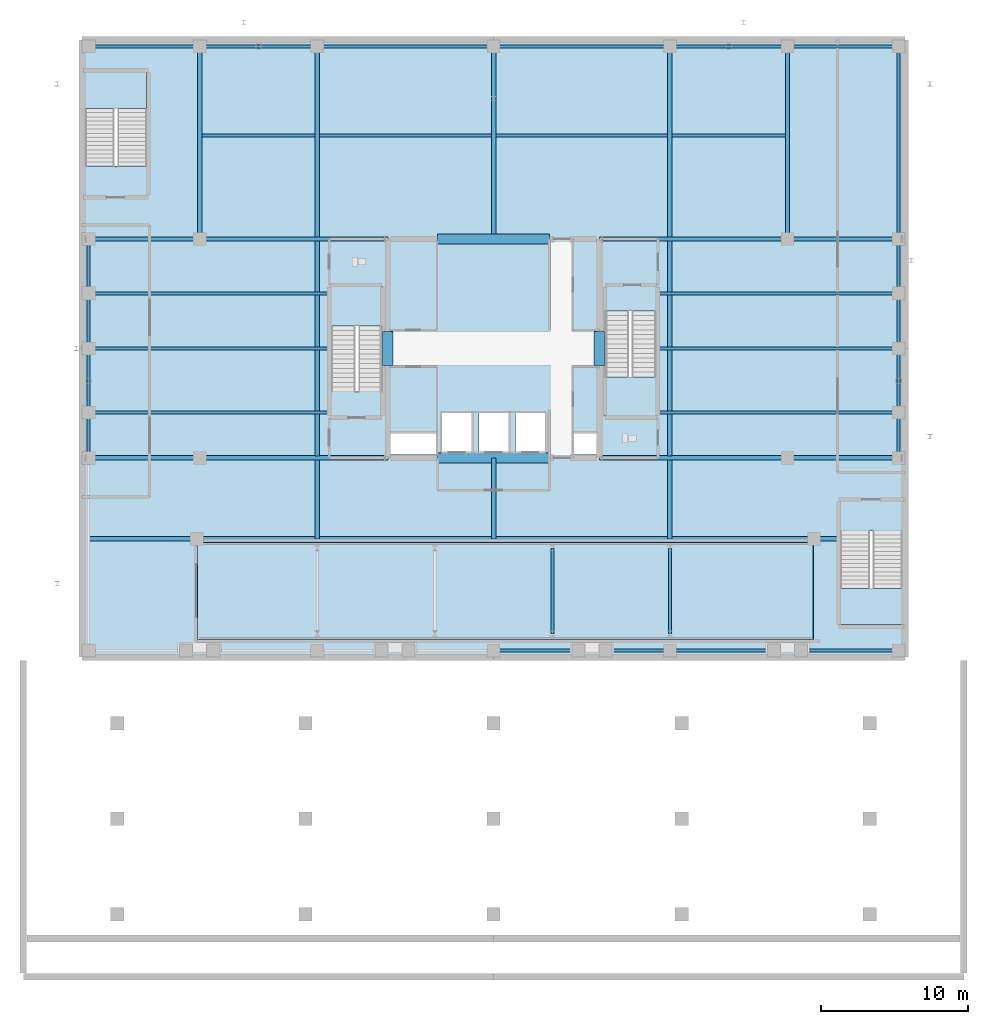
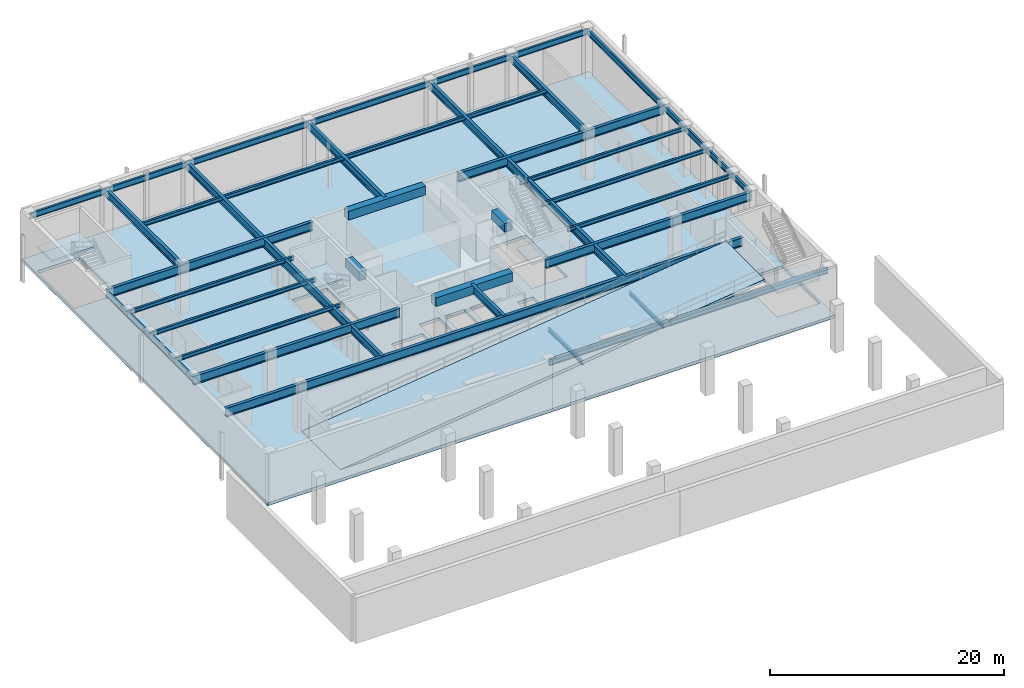
# One storey, part 8 of 16: 45 beams, 6 slabs, 4 elements without a shape of their own.
"""IFC4 building model written with IfcOpenShell, lengths in metres."""

from ifc_helpers import new_model, si_unit, direction, frame, origin, origin_2d, place, context, subcontext, project, spatial, polyline, rectangle, i_section, outline, extrude, material, layer, layer_set, material_profile, profile_set, type_object, element, aggregate, save


model = new_model("IFC4")

# Units and contexts
model_context = context("Model", 3, precision=1e-05, world=origin(), true_north=direction((0.0, 1.0)))
body_context = subcontext(model_context, "Body", "Model", "MODEL_VIEW")
ifc_project = project(units=[si_unit("LENGTHUNIT", "METRE"), si_unit("AREAUNIT", "SQUARE_METRE"), si_unit("VOLUMEUNIT", "CUBIC_METRE"), si_unit("PLANEANGLEUNIT", "RADIAN"), si_unit("MASSUNIT", "GRAM", prefix="KILO")], contexts=[model_context])

# Site, building, storey
site_placement = place(None, origin())
site = spatial("IfcSite", under=ifc_project, at=site_placement, CompositionType="ELEMENT")
building_placement = place(site_placement, origin())
building = spatial("IfcBuilding", under=site, at=building_placement, Name="Veldorina Hangang Commons", CompositionType="ELEMENT")
storey_placement = place(building_placement, frame((0.0, 0.0, -5.199951171875)))
storey = spatial("IfcBuildingStorey", under=building, at=storey_placement, Name="B01", CompositionType="ELEMENT", Elevation=-5.199951171875)

# Beams
ifc_material_1 = material(Name="Concrete C70/85", Category="concrete")
ifc_material_profile_1 = material_profile(ifc_material_1, rectangle(XDim=0.699951171875, YDim=0.89990234375, at=origin_2d()), Name="RC-CB-700x900")
ifc_profile_set_1 = profile_set([ifc_material_profile_1], Name="Concrete C70/85")
beam_type_1 = type_object("IfcBeamType", Name="BM-CB900", PredefinedType="LINTEL", material=ifc_profile_set_1)
for number, where, z_axis, x_axis, name in (
    (1, (24.800048828125, 22.85009765625, 4.449951171875), (0.0, 1.0, 0.0), (-1.0, 0.0, 0.0), "B01 W core coupling lintel beam"),
    (2, (39.199951171875, 22.85009765625, 4.449951171875), (0.0, 1.0, 0.0), (-1.0, 0.0, 0.0), "B01 E core coupling lintel beam"),
):
    element("IfcBeam", number, at=place(storey_placement, frame(where, z_axis=z_axis, x_axis=x_axis)), inside=storey, type_object=beam_type_1, Name=name, PredefinedType="LINTEL", context=body_context, shape_type="SweptSolid", body=[
        extrude(rectangle(XDim=0.699951171875, YDim=0.89990234375, at=origin_2d()), origin(), (0.0, 0.0, 1.0), 2.2998046875),
    ])
for number, where, z_axis, x_axis, name in (
    (3, (28.199951171875, 16.550048828125, 4.449951171875), (1.0, 0.0, 0.0), (0.0, 1.0, 0.0), "B01 south core coupling beam"),
    (4, (28.199951171875, 31.449951171875, 4.449951171875), (1.0, 0.0, 0.0), (0.0, 1.0, 0.0), "B01 north core coupling beam"),
):
    element("IfcBeam", number, at=place(storey_placement, frame(where, z_axis=z_axis, x_axis=x_axis)), inside=storey, type_object=beam_type_1, Name=name, PredefinedType="LINTEL", context=body_context, shape_type="SweptSolid", body=[
        extrude(rectangle(XDim=0.699951171875, YDim=0.89990234375, at=origin_2d()), origin(), (0.0, 0.0, 1.0), 7.60009765625),
    ])
ifc_material_2 = material(Name="Steel SM355-TMC", Category="steel")
ifc_material_profile_2 = material_profile(ifc_material_2, i_section(OverallWidth=0.199951171875, OverallDepth=0.39990234375, WebThickness=0.008056640625, FlangeThickness=0.012939453125, FilletRadius=0.012939453125, at=origin_2d()), Name="H-400x200x8x13")
ifc_profile_set_2 = profile_set([ifc_material_profile_2], Name="Steel SM355-TMC")
beam_type_2 = type_object("IfcBeamType", Name="BM-FG400", PredefinedType="BEAM", material=ifc_profile_set_2)
for number, where, z_axis, x_axis, name in (
    (5, (36.0, 4.60009765625, 2.467041015625), (0.0, 1.0, 0.0), (-1.0, 0.0, 0.0), "B01 vehicle ramp cross beam 3"),
    (6, (44.0, 4.60009765625, 3.4599609375), (0.0, 1.0, 0.0), (-1.0, 0.0, 0.0), "B01 vehicle ramp cross beam 4"),
):
    element("IfcBeam", number, at=place(storey_placement, frame(where, z_axis=z_axis, x_axis=x_axis)), inside=storey, type_object=beam_type_2, Name=name, PredefinedType="BEAM", context=body_context, shape_type="SweptSolid", body=[
        extrude(i_section(OverallWidth=0.199951171875, OverallDepth=0.39990234375, WebThickness=0.008056640625, FlangeThickness=0.012939453125, FilletRadius=0.012939453125, at=origin_2d()), origin(), (0.0, 0.0, 1.0), 5.7998046875),
    ])
ifc_material_profile_3 = material_profile(ifc_material_2, i_section(OverallWidth=0.199951171875, OverallDepth=0.39990234375, WebThickness=0.008056640625, FlangeThickness=0.012939453125, FilletRadius=0.012939453125, at=origin_2d()), Name="H-400x200x8x13")
ifc_profile_set_3 = profile_set([ifc_material_profile_3], Name="Steel SM355-TMC")
beam_type_3 = type_object("IfcBeamType", Name="BM-JST400", PredefinedType="JOIST", material=ifc_profile_set_3)
for number, where, z_axis, x_axis, name in (
    (7, (4.449951171875, 19.64990234375, 4.699951171875), (1.0, 0.0, 0.0), (0.0, 1.0, 0.0), "B01 west floor joist 1"),
    (8, (43.179931640625, 19.64990234375, 4.699951171875), (1.0, 0.0, 0.0), (0.0, 1.0, 0.0), "B01 east floor joist 1"),
    (9, (4.449951171875, 24.0, 4.699951171875), (1.0, 0.0, 0.0), (0.0, 1.0, 0.0), "B01 west floor joist 2"),
    (10, (43.179931640625, 24.0, 4.699951171875), (1.0, 0.0, 0.0), (0.0, 1.0, 0.0), "B01 east floor joist 2"),
    (11, (4.449951171875, 27.75, 4.699951171875), (1.0, 0.0, 0.0), (0.0, 1.0, 0.0), "B01 west floor joist 3"),
    (12, (43.179931640625, 27.75, 4.699951171875), (1.0, 0.0, 0.0), (0.0, 1.0, 0.0), "B01 east floor joist 3"),
):
    element("IfcBeam", number, at=place(storey_placement, frame(where, z_axis=z_axis, x_axis=x_axis)), inside=storey, type_object=beam_type_3, Name=name, PredefinedType="JOIST", context=body_context, shape_type="SweptSolid", body=[
        extrude(i_section(OverallWidth=0.199951171875, OverallDepth=0.39990234375, WebThickness=0.008056640625, FlangeThickness=0.012939453125, FilletRadius=0.012939453125, at=origin_2d()), origin(), (0.0, 0.0, 1.0), 16.3701171875),
    ])
beam_1_placement = place(storey_placement, frame((12.0, 38.5, 4.699951171875), z_axis=(1.0, 0.0, 0.0), x_axis=(0.0, 1.0, 0.0)))
element("IfcBeam", 13, at=beam_1_placement, inside=storey, type_object=beam_type_3, Name="B01 north floor joist 4", PredefinedType="JOIST", context=body_context, shape_type="SweptSolid", body=[
    extrude(i_section(OverallWidth=0.199951171875, OverallDepth=0.39990234375, WebThickness=0.008056640625, FlangeThickness=0.012939453125, FilletRadius=0.012939453125, at=origin_2d()), origin(), (0.0, 0.0, 1.0), 40.0),
])
ifc_material_3 = material(Name="Steel SM460-TMC", Category="steel")
ifc_material_profile_4 = material_profile(ifc_material_3, i_section(OverallWidth=0.300048828125, OverallDepth=0.800048828125, WebThickness=0.013916015625, FlangeThickness=0.02587890625, FilletRadius=0.02197265625, at=origin_2d()), Name="H-800x300x14x26")
ifc_profile_set_4 = profile_set([ifc_material_profile_4], Name="Steel SM460-TMC")
beam_type_4 = type_object("IfcBeamType", Name="BM-PG800", PredefinedType="BEAM", material=ifc_profile_set_4)
for number, where, z_axis, x_axis, name in (
    (14, (12.0, 31.590087890625, 4.5), (0.0, 1.0, 0.0), (-1.0, 0.0, 0.0), "B01 north primary girder G2"),
    (15, (20.0, 31.590087890625, 4.5), (0.0, 1.0, 0.0), (-1.0, 0.0, 0.0), "B01 north primary girder G3"),
):
    element("IfcBeam", number, at=place(storey_placement, frame(where, z_axis=z_axis, x_axis=x_axis)), inside=storey, type_object=beam_type_4, Name=name, PredefinedType="BEAM", context=body_context, shape_type="SweptSolid", body=[
        extrude(i_section(OverallWidth=0.300048828125, OverallDepth=0.800048828125, WebThickness=0.013916015625, FlangeThickness=0.02587890625, FilletRadius=0.02197265625, at=origin_2d()), origin(), (0.0, 0.0, 1.0), 12.9599609375),
    ])
beam_2_placement = place(storey_placement, frame((20.0, 11.050048828125, 4.5), z_axis=(0.0, 1.0, 0.0), x_axis=(-1.0, 0.0, 0.0)))
element("IfcBeam", 16, at=beam_2_placement, inside=storey, type_object=beam_type_4, Name="B01 south ramp-to-core girder G3", PredefinedType="BEAM", context=body_context, shape_type="SweptSolid", body=[
    extrude(i_section(OverallWidth=0.300048828125, OverallDepth=0.800048828125, WebThickness=0.013916015625, FlangeThickness=0.02587890625, FilletRadius=0.02197265625, at=origin_2d()), origin(), (0.0, 0.0, 1.0), 5.35986328125),
])
beam_3_placement = place(storey_placement, frame((32.0, 31.449951171875, 4.5), z_axis=(0.0, 1.0, 0.0), x_axis=(-1.0, 0.0, 0.0)))
element("IfcBeam", 17, at=beam_3_placement, inside=storey, type_object=beam_type_4, Name="B01 north primary girder G5", PredefinedType="BEAM", context=body_context, shape_type="SweptSolid", body=[
    extrude(i_section(OverallWidth=0.300048828125, OverallDepth=0.800048828125, WebThickness=0.013916015625, FlangeThickness=0.02587890625, FilletRadius=0.02197265625, at=origin_2d()), origin(), (0.0, 0.0, 1.0), 13.10009765625),
])
beam_4_placement = place(storey_placement, frame((32.0, 11.050048828125, 4.5), z_axis=(0.0, 1.0, 0.0), x_axis=(-1.0, 0.0, 0.0)))
element("IfcBeam", 18, at=beam_4_placement, inside=storey, type_object=beam_type_4, Name="B01 south ramp-to-core girder G5", PredefinedType="BEAM", context=body_context, shape_type="SweptSolid", body=[
    extrude(i_section(OverallWidth=0.300048828125, OverallDepth=0.800048828125, WebThickness=0.013916015625, FlangeThickness=0.02587890625, FilletRadius=0.02197265625, at=origin_2d()), origin(), (0.0, 0.0, 1.0), 5.5),
])
beam_5_placement = place(storey_placement, frame((44.0, 31.590087890625, 4.5), z_axis=(0.0, 1.0, 0.0), x_axis=(-1.0, 0.0, 0.0)))
element("IfcBeam", 19, at=beam_5_placement, inside=storey, type_object=beam_type_4, Name="B01 north primary girder G7", PredefinedType="BEAM", context=body_context, shape_type="SweptSolid", body=[
    extrude(i_section(OverallWidth=0.300048828125, OverallDepth=0.800048828125, WebThickness=0.013916015625, FlangeThickness=0.02587890625, FilletRadius=0.02197265625, at=origin_2d()), origin(), (0.0, 0.0, 1.0), 12.9599609375),
])
beam_6_placement = place(storey_placement, frame((44.0, 11.050048828125, 4.5), z_axis=(0.0, 1.0, 0.0), x_axis=(-1.0, 0.0, 0.0)))
element("IfcBeam", 20, at=beam_6_placement, inside=storey, type_object=beam_type_4, Name="B01 south ramp-to-core girder G7", PredefinedType="BEAM", context=body_context, shape_type="SweptSolid", body=[
    extrude(i_section(OverallWidth=0.300048828125, OverallDepth=0.800048828125, WebThickness=0.013916015625, FlangeThickness=0.02587890625, FilletRadius=0.02197265625, at=origin_2d()), origin(), (0.0, 0.0, 1.0), 5.35986328125),
])
beam_7_placement = place(storey_placement, frame((52.0, 31.590087890625, 4.5), z_axis=(0.0, 1.0, 0.0), x_axis=(-1.0, 0.0, 0.0)))
element("IfcBeam", 21, at=beam_7_placement, inside=storey, type_object=beam_type_4, Name="B01 north primary girder G8", PredefinedType="BEAM", context=body_context, shape_type="SweptSolid", body=[
    extrude(i_section(OverallWidth=0.300048828125, OverallDepth=0.800048828125, WebThickness=0.013916015625, FlangeThickness=0.02587890625, FilletRadius=0.02197265625, at=origin_2d()), origin(), (0.0, 0.0, 1.0), 12.9599609375),
])
ifc_material_profile_5 = material_profile(ifc_material_3, i_section(OverallWidth=0.300048828125, OverallDepth=0.89990234375, WebThickness=0.01611328125, FlangeThickness=0.028076171875, FilletRadius=0.02197265625, at=origin_2d()), Name="H-900x300x16x28")
ifc_profile_set_5 = profile_set([ifc_material_profile_5], Name="Steel SM460-TMC")
beam_type_5 = type_object("IfcBeamType", Name="BM-PG900", PredefinedType="BEAM", material=ifc_profile_set_5)
for number, where, z_axis, x_axis, name in (
    (22, (4.449951171875, 16.550048828125, 4.449951171875), (1.0, 0.0, 0.0), (0.0, 1.0, 0.0), "B01 west collector girder GD"),
    (23, (39.199951171875, 16.550048828125, 4.449951171875), (1.0, 0.0, 0.0), (0.0, 1.0, 0.0), "B01 east collector girder GD"),
    (24, (4.449951171875, 31.449951171875, 4.449951171875), (1.0, 0.0, 0.0), (0.0, 1.0, 0.0), "B01 west collector girder GF"),
    (25, (39.199951171875, 31.449951171875, 4.449951171875), (1.0, 0.0, 0.0), (0.0, 1.0, 0.0), "B01 east collector girder GF"),
):
    element("IfcBeam", number, at=place(storey_placement, frame(where, z_axis=z_axis, x_axis=x_axis)), inside=storey, type_object=beam_type_5, Name=name, PredefinedType="BEAM", context=body_context, shape_type="SweptSolid", body=[
        extrude(i_section(OverallWidth=0.300048828125, OverallDepth=0.89990234375, WebThickness=0.01611328125, FlangeThickness=0.028076171875, FilletRadius=0.02197265625, at=origin_2d()), origin(), (0.0, 0.0, 1.0), 20.35009765625),
    ])
beam_8_placement = place(storey_placement, frame((4.449951171875, 11.050048828125, 4.449951171875), z_axis=(1.0, 0.0, 0.0), x_axis=(0.0, 1.0, 0.0)))
element("IfcBeam", 26, at=beam_8_placement, inside=storey, type_object=beam_type_5, Name="B01 ramp opening header girder", PredefinedType="BEAM", context=body_context, shape_type="SweptSolid", body=[
    extrude(i_section(OverallWidth=0.300048828125, OverallDepth=0.89990234375, WebThickness=0.01611328125, FlangeThickness=0.028076171875, FilletRadius=0.02197265625, at=origin_2d()), origin(), (0.0, 0.0, 1.0), 51.030029296875),
])
for number, where, z_axis, x_axis, name in (
    (27, (20.0, 16.68994140625, 4.449951171875), (0.0, 1.0, 0.0), (-1.0, 0.0, 0.0), "B01 mid primary girder G3"),
    (28, (44.0, 16.68994140625, 4.449951171875), (0.0, 1.0, 0.0), (-1.0, 0.0, 0.0), "B01 mid primary girder G7"),
):
    element("IfcBeam", number, at=place(storey_placement, frame(where, z_axis=z_axis, x_axis=x_axis)), inside=storey, type_object=beam_type_5, Name=name, PredefinedType="BEAM", context=body_context, shape_type="SweptSolid", body=[
        extrude(i_section(OverallWidth=0.300048828125, OverallDepth=0.89990234375, WebThickness=0.01611328125, FlangeThickness=0.028076171875, FilletRadius=0.02197265625, at=origin_2d()), origin(), (0.0, 0.0, 1.0), 14.6201171875),
    ])
ifc_material_4 = material(Name="Steel SM420-TMC", Category="steel")
ifc_material_profile_6 = material_profile(ifc_material_4, i_section(OverallWidth=0.199951171875, OverallDepth=0.60009765625, WebThickness=0.010986328125, FlangeThickness=0.01708984375, FilletRadius=0.01806640625, at=origin_2d()), Name="H-600x200x11x17")
ifc_profile_set_6 = profile_set([ifc_material_profile_6], Name="Steel SM420-TMC")
beam_type_6 = type_object("IfcBeamType", Name="BM-SPN600", PredefinedType="SPANDREL", material=ifc_profile_set_6)
beam_9_placement = place(storey_placement, frame((4.449951171875, 44.550048828125, 4.599853515625), z_axis=(1.0, 0.0, 0.0), x_axis=(0.0, 1.0, 0.0)))
element("IfcBeam", 29, at=beam_9_placement, inside=storey, type_object=beam_type_6, Name="B01 north spandrel beam 1", PredefinedType="SPANDREL", context=body_context, shape_type="SweptSolid", body=[
    extrude(i_section(OverallWidth=0.199951171875, OverallDepth=0.60009765625, WebThickness=0.010986328125, FlangeThickness=0.01708984375, FilletRadius=0.01806640625, at=origin_2d()), origin(), (0.0, 0.0, 1.0), 7.550048828125),
])
beam_10_placement = place(storey_placement, frame((12.0, 44.550048828125, 4.599853515625), z_axis=(1.0, 0.0, 0.0), x_axis=(0.0, 1.0, 0.0)))
element("IfcBeam", 30, at=beam_10_placement, inside=storey, type_object=beam_type_6, Name="B01 north spandrel beam 2", PredefinedType="SPANDREL", context=body_context, shape_type="SweptSolid", body=[
    extrude(i_section(OverallWidth=0.199951171875, OverallDepth=0.60009765625, WebThickness=0.010986328125, FlangeThickness=0.01708984375, FilletRadius=0.01806640625, at=origin_2d()), origin(), (0.0, 0.0, 1.0), 8.0),
])
for number, where, z_axis, x_axis, name in (
    (31, (20.0, 44.550048828125, 4.599853515625), (1.0, 0.0, 0.0), (0.0, 1.0, 0.0), "B01 north spandrel beam 3"),
    (32, (32.0, 44.550048828125, 4.599853515625), (1.0, 0.0, 0.0), (0.0, 1.0, 0.0), "B01 north spandrel beam 4"),
):
    element("IfcBeam", number, at=place(storey_placement, frame(where, z_axis=z_axis, x_axis=x_axis)), inside=storey, type_object=beam_type_6, Name=name, PredefinedType="SPANDREL", context=body_context, shape_type="SweptSolid", body=[
        extrude(i_section(OverallWidth=0.199951171875, OverallDepth=0.60009765625, WebThickness=0.010986328125, FlangeThickness=0.01708984375, FilletRadius=0.01806640625, at=origin_2d()), origin(), (0.0, 0.0, 1.0), 12.0),
    ])
beam_11_placement = place(storey_placement, frame((44.0, 44.550048828125, 4.599853515625), z_axis=(1.0, 0.0, 0.0), x_axis=(0.0, 1.0, 0.0)))
element("IfcBeam", 33, at=beam_11_placement, inside=storey, type_object=beam_type_6, Name="B01 north spandrel beam 5", PredefinedType="SPANDREL", context=body_context, shape_type="SweptSolid", body=[
    extrude(i_section(OverallWidth=0.199951171875, OverallDepth=0.60009765625, WebThickness=0.010986328125, FlangeThickness=0.01708984375, FilletRadius=0.01806640625, at=origin_2d()), origin(), (0.0, 0.0, 1.0), 8.0),
])
beam_12_placement = place(storey_placement, frame((52.0, 44.550048828125, 4.599853515625), z_axis=(1.0, 0.0, 0.0), x_axis=(0.0, 1.0, 0.0)))
element("IfcBeam", 34, at=beam_12_placement, inside=storey, type_object=beam_type_6, Name="B01 north spandrel beam 6", PredefinedType="SPANDREL", context=body_context, shape_type="SweptSolid", body=[
    extrude(i_section(OverallWidth=0.199951171875, OverallDepth=0.60009765625, WebThickness=0.010986328125, FlangeThickness=0.01708984375, FilletRadius=0.01806640625, at=origin_2d()), origin(), (0.0, 0.0, 1.0), 7.550048828125),
])
beam_13_placement = place(storey_placement, frame((32.0, 3.449951171875, 4.599853515625), z_axis=(1.0, 0.0, 0.0), x_axis=(0.0, 1.0, 0.0)))
element("IfcBeam", 35, at=beam_13_placement, inside=storey, type_object=beam_type_6, Name="B01 south spandrel beam 3", PredefinedType="SPANDREL", context=body_context, shape_type="SweptSolid", body=[
    extrude(i_section(OverallWidth=0.199951171875, OverallDepth=0.60009765625, WebThickness=0.010986328125, FlangeThickness=0.01708984375, FilletRadius=0.01806640625, at=origin_2d()), origin(), (0.0, 0.0, 1.0), 12.0),
])
beam_14_placement = place(storey_placement, frame((44.0, 3.449951171875, 4.599853515625), z_axis=(1.0, 0.0, 0.0), x_axis=(0.0, 1.0, 0.0)))
element("IfcBeam", 36, at=beam_14_placement, inside=storey, type_object=beam_type_6, Name="B01 south spandrel beam 4", PredefinedType="SPANDREL", context=body_context, shape_type="SweptSolid", body=[
    extrude(i_section(OverallWidth=0.199951171875, OverallDepth=0.60009765625, WebThickness=0.010986328125, FlangeThickness=0.01708984375, FilletRadius=0.01806640625, at=origin_2d()), origin(), (0.0, 0.0, 1.0), 15.550048828125),
])
for number, where, z_axis, x_axis, name in (
    (37, (4.449951171875, 16.550048828125, 4.599853515625), (0.0, 1.0, 0.0), (-1.0, 0.0, 0.0), "B01 west spandrel beam 2"),
    (38, (59.550048828125, 16.550048828125, 4.599853515625), (0.0, 1.0, 0.0), (-1.0, 0.0, 0.0), "B01 east spandrel beam 2"),
):
    element("IfcBeam", number, at=place(storey_placement, frame(where, z_axis=z_axis, x_axis=x_axis)), inside=storey, type_object=beam_type_6, Name=name, PredefinedType="SPANDREL", context=body_context, shape_type="SweptSolid", body=[
        extrude(i_section(OverallWidth=0.199951171875, OverallDepth=0.60009765625, WebThickness=0.010986328125, FlangeThickness=0.01708984375, FilletRadius=0.01806640625, at=origin_2d()), origin(), (0.0, 0.0, 1.0), 3.099853515625),
    ])
for number, where, z_axis, x_axis, name in (
    (39, (4.449951171875, 19.64990234375, 4.599853515625), (0.0, 1.0, 0.0), (-1.0, 0.0, 0.0), "B01 west spandrel beam 3"),
    (40, (59.550048828125, 19.64990234375, 4.599853515625), (0.0, 1.0, 0.0), (-1.0, 0.0, 0.0), "B01 east spandrel beam 3"),
):
    element("IfcBeam", number, at=place(storey_placement, frame(where, z_axis=z_axis, x_axis=x_axis)), inside=storey, type_object=beam_type_6, Name=name, PredefinedType="SPANDREL", context=body_context, shape_type="SweptSolid", body=[
        extrude(i_section(OverallWidth=0.199951171875, OverallDepth=0.60009765625, WebThickness=0.010986328125, FlangeThickness=0.01708984375, FilletRadius=0.01806640625, at=origin_2d()), origin(), (0.0, 0.0, 1.0), 4.35009765625),
    ])
for number, where, z_axis, x_axis, name in (
    (41, (4.449951171875, 24.0, 4.599853515625), (0.0, 1.0, 0.0), (-1.0, 0.0, 0.0), "B01 west spandrel beam 4"),
    (42, (59.550048828125, 24.0, 4.599853515625), (0.0, 1.0, 0.0), (-1.0, 0.0, 0.0), "B01 east spandrel beam 4"),
):
    element("IfcBeam", number, at=place(storey_placement, frame(where, z_axis=z_axis, x_axis=x_axis)), inside=storey, type_object=beam_type_6, Name=name, PredefinedType="SPANDREL", context=body_context, shape_type="SweptSolid", body=[
        extrude(i_section(OverallWidth=0.199951171875, OverallDepth=0.60009765625, WebThickness=0.010986328125, FlangeThickness=0.01708984375, FilletRadius=0.01806640625, at=origin_2d()), origin(), (0.0, 0.0, 1.0), 3.75),
    ])
for number, where, z_axis, x_axis, name in (
    (43, (4.449951171875, 27.75, 4.599853515625), (0.0, 1.0, 0.0), (-1.0, 0.0, 0.0), "B01 west spandrel beam 5"),
    (44, (59.550048828125, 27.75, 4.599853515625), (0.0, 1.0, 0.0), (-1.0, 0.0, 0.0), "B01 east spandrel beam 5"),
):
    element("IfcBeam", number, at=place(storey_placement, frame(where, z_axis=z_axis, x_axis=x_axis)), inside=storey, type_object=beam_type_6, Name=name, PredefinedType="SPANDREL", context=body_context, shape_type="SweptSolid", body=[
        extrude(i_section(OverallWidth=0.199951171875, OverallDepth=0.60009765625, WebThickness=0.010986328125, FlangeThickness=0.01708984375, FilletRadius=0.01806640625, at=origin_2d()), origin(), (0.0, 0.0, 1.0), 3.699951171875),
    ])
beam_15_placement = place(storey_placement, frame((59.550048828125, 31.449951171875, 4.599853515625), z_axis=(0.0, 1.0, 0.0), x_axis=(-1.0, 0.0, 0.0)))
element("IfcBeam", 45, at=beam_15_placement, inside=storey, type_object=beam_type_6, Name="B01 east spandrel beam 6", PredefinedType="SPANDREL", context=body_context, shape_type="SweptSolid", body=[
    extrude(i_section(OverallWidth=0.199951171875, OverallDepth=0.60009765625, WebThickness=0.010986328125, FlangeThickness=0.01708984375, FilletRadius=0.01806640625, at=origin_2d()), origin(), (0.0, 0.0, 1.0), 13.10009765625),
])

# Slab
ifc_material_5 = material(Name="Concrete C45/55", Category="concrete")
ifc_layer_1 = layer(ifc_material_5, 0.320068359375)
ifc_layer_set_1 = layer_set([ifc_layer_1], Name="Concrete C45/55")
slab_type_1 = type_object("IfcSlabType", Name="SL-FLR-320", PredefinedType="FLOOR", material=ifc_layer_set_1)
slab_1_placement = place(storey_placement, frame((0.0, 0.0, -0.320068359375)))
element("IfcSlab", 46, at=slab_1_placement, inside=storey, type_object=slab_type_1, Name="B01 podium structural floor slab", PredefinedType="FLOOR", context=body_context, shape_type="SweptSolid", body=[
    extrude(outline(polyline([(4.0, 3.0), (60.0, 3.0), (60.0, 45.0), (4.0, 45.0), (4.0, 3.0)]), holes=[polyline([(20.949951171875, 21.05810546875), (20.949951171875, 28.199951171875), (24.449951171875, 28.199951171875), (24.449951171875, 21.05810546875), (20.949951171875, 21.05810546875)]), polyline([(43.050048828125, 26.5419921875), (43.050048828125, 19.39990234375), (39.550048828125, 19.39990234375), (39.550048828125, 26.5419921875), (43.050048828125, 26.5419921875)]), polyline([(4.199951171875, 36.407958984375), (4.199951171875, 42.800048828125), (8.39990234375, 42.800048828125), (8.39990234375, 36.407958984375), (4.199951171875, 36.407958984375)]), polyline([(59.800048828125, 11.592041015625), (59.800048828125, 5.199951171875), (55.60009765625, 5.199951171875), (55.60009765625, 11.592041015625), (59.800048828125, 11.592041015625)]), polyline([(28.5, 19.60009765625), (30.5, 19.60009765625), (30.5, 17.0), (28.5, 17.0), (28.5, 19.60009765625)]), polyline([(31.0, 19.60009765625), (33.0, 19.60009765625), (33.0, 17.0), (31.0, 17.0), (31.0, 19.60009765625)]), polyline([(33.5, 19.60009765625), (35.5, 19.60009765625), (35.5, 17.0), (33.5, 17.0), (33.5, 19.60009765625)]), polyline([(25.0, 18.25), (28.10009765625, 18.25), (28.10009765625, 16.800048828125), (25.0, 16.800048828125), (25.0, 18.25)]), polyline([(37.449951171875, 18.25), (39.0, 18.25), (39.0, 16.800048828125), (37.449951171875, 16.800048828125), (37.449951171875, 18.25)])]), origin(), (0.0, 0.0, 1.0), 0.320068359375),
])

# Stair, slab
ifc_material_6 = material(Name="Concrete C40/50", Category="concrete")
stair_type_1 = type_object("IfcStairType", Name="STR-DOG-1650-30R", PredefinedType="HALF_TURN_STAIR", material=ifc_material_6)
stair_1_placement = place(storey_placement, origin())
stair_1 = element("IfcStair", 47, at=stair_1_placement, inside=storey, type_object=stair_type_1, Name="B01 Exit stair ST-1", PredefinedType="HALF_TURN_STAIR")
ifc_layer_2 = layer(ifc_material_6, 0.199951171875)
ifc_layer_set_2 = layer_set([ifc_layer_2], Name="Concrete C40/50")
slab_type_2 = type_object("IfcSlabType", Name="SL-LND-200", PredefinedType="LANDING", material=ifc_layer_set_2)
slab_2_placement = place(storey_placement, frame((0.0, 0.0, 2.39990234375)))
slab_2 = element("IfcSlab", 48, at=slab_2_placement, type_object=slab_type_2, Name="ST-1 landing 1", PredefinedType="LANDING", context=body_context, shape_type="SweptSolid", body=[
    extrude(outline(polyline([(24.449951171875, 25.530029296875), (24.449951171875, 28.199951171875), (20.949951171875, 28.199951171875), (20.949951171875, 25.530029296875), (24.449951171875, 25.530029296875)])), origin(), (0.0, 0.0, 1.0), 0.199951171875),
])
aggregate(stair_1, [slab_2])

stair_2_placement = place(storey_placement, origin())
stair_2 = element("IfcStair", 49, at=stair_2_placement, inside=storey, type_object=stair_type_1, Name="B01 Exit stair ST-2", PredefinedType="HALF_TURN_STAIR")
slab_3_placement = place(storey_placement, frame((0.0, 0.0, 2.39990234375)))
slab_3 = element("IfcSlab", 50, at=slab_3_placement, type_object=slab_type_2, Name="ST-2 landing 1", PredefinedType="LANDING", context=body_context, shape_type="SweptSolid", body=[
    extrude(outline(polyline([(39.550048828125, 22.070068359375), (39.550048828125, 19.39990234375), (43.050048828125, 19.39990234375), (43.050048828125, 22.070068359375), (39.550048828125, 22.070068359375)])), origin(), (0.0, 0.0, 1.0), 0.199951171875),
])
aggregate(stair_2, [slab_3])

stair_type_2 = type_object("IfcStairType", Name="STR-DOG-2000-30R", PredefinedType="HALF_TURN_STAIR", material=ifc_material_6)
stair_3_placement = place(storey_placement, origin())
stair_3 = element("IfcStair", 51, at=stair_3_placement, inside=storey, type_object=stair_type_2, Name="B01 Exit stair ST-P1", PredefinedType="HALF_TURN_STAIR")
slab_4_placement = place(storey_placement, frame((0.0, 0.0, 2.39990234375)))
slab_4 = element("IfcSlab", 52, at=slab_4_placement, type_object=slab_type_2, Name="ST-P1 landing 1", PredefinedType="LANDING", context=body_context, shape_type="SweptSolid", body=[
    extrude(outline(polyline([(8.39990234375, 40.320068359375), (8.39990234375, 42.800048828125), (4.199951171875, 42.800048828125), (4.199951171875, 40.320068359375), (8.39990234375, 40.320068359375)])), origin(), (0.0, 0.0, 1.0), 0.199951171875),
])
aggregate(stair_3, [slab_4])

stair_4_placement = place(storey_placement, origin())
stair_4 = element("IfcStair", 53, at=stair_4_placement, inside=storey, type_object=stair_type_2, Name="B01 Exit stair ST-P2", PredefinedType="HALF_TURN_STAIR")
slab_5_placement = place(storey_placement, frame((0.0, 0.0, 2.39990234375)))
slab_5 = element("IfcSlab", 54, at=slab_5_placement, type_object=slab_type_2, Name="ST-P2 landing 1", PredefinedType="LANDING", context=body_context, shape_type="SweptSolid", body=[
    extrude(outline(polyline([(55.60009765625, 7.679931640625), (55.60009765625, 5.199951171875), (59.800048828125, 5.199951171875), (59.800048828125, 7.679931640625), (55.60009765625, 7.679931640625)])), origin(), (0.0, 0.0, 1.0), 0.199951171875),
])
aggregate(stair_4, [slab_5])

# Slab
ifc_layer_3 = layer(ifc_material_6, 0.300048828125)
ifc_layer_set_3 = layer_set([ifc_layer_3], Name="Concrete C40/50")
slab_type_3 = type_object("IfcSlabType", Name="SL-VRMP-300", PredefinedType="FLOOR", material=ifc_layer_set_3)
slab_6_placement = place(storey_placement, frame((11.85009765625, 4.199951171875, 0.0), z_axis=(-0.12315932005, 0.0, 0.992386911383), x_axis=(0.992386911383, 0.0, 0.12315932005)))
element("IfcSlab", 55, at=slab_6_placement, inside=storey, type_object=slab_type_3, Name="Car park 1:8 structural vehicle ramp slab VRS-300", PredefinedType="FLOOR", context=body_context, shape_type="SweptSolid", body=[
    extrude(outline(polyline([(0.0, 0.0), (42.221435546875, 0.0), (42.221435546875, 6.60009765625), (0.0, 6.60009765625), (0.0, 0.0)])), origin(), (0.0, 0.0, -1.0), 0.300048828125),
])

save(model, "model.ifc")
